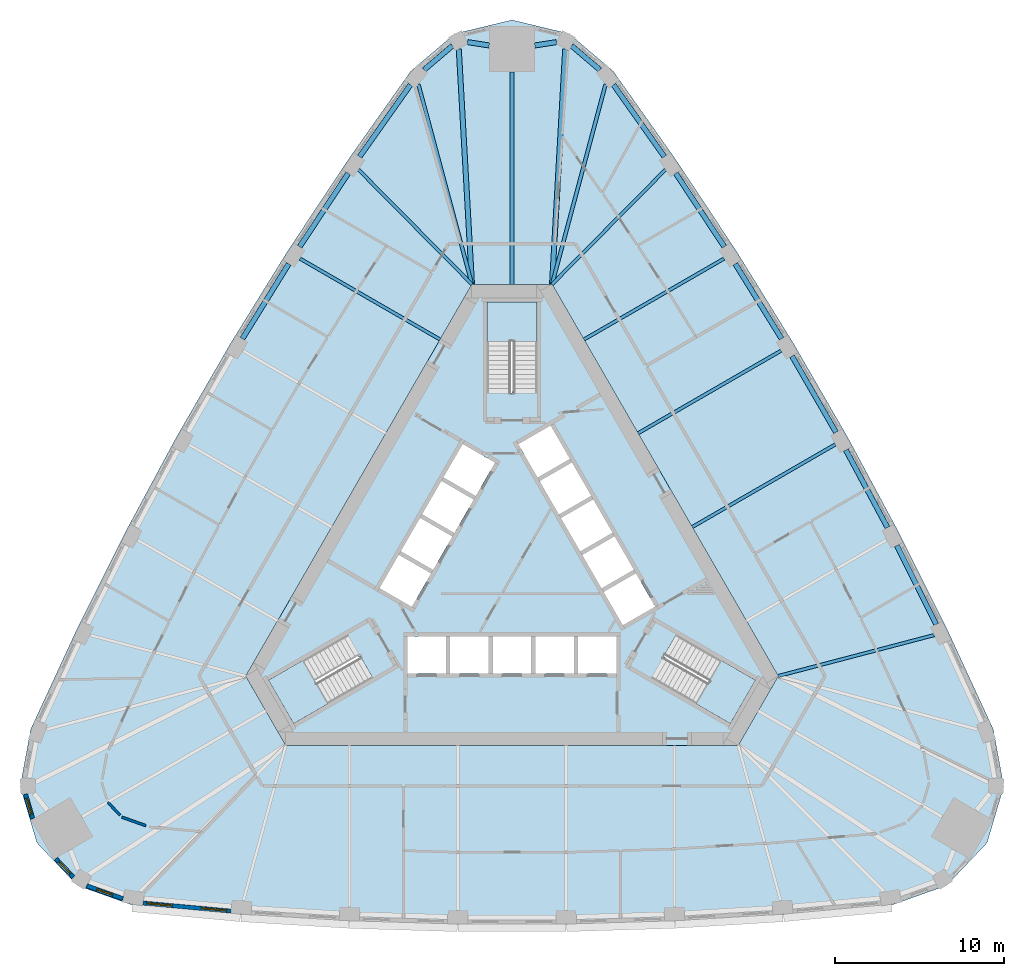
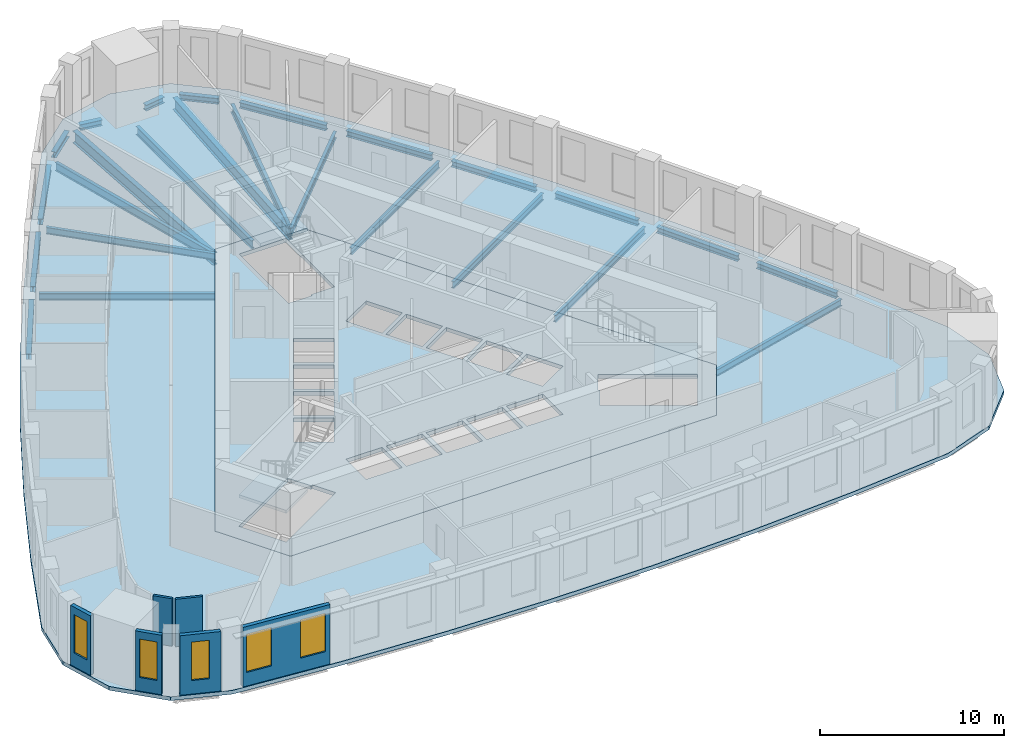
# One storey, part 2 of 11: 25 beams, 6 walls, 5 slabs, 5 windows, 5 openings, 3 elements without a shape of their own.
"""IFC4 building model written with IfcOpenShell, lengths in metres."""

from ifc_helpers import new_model, si_unit, direction, frame, frame_2d, origin, origin_2d, place, context, subcontext, project, spatial, polyline, rectangle, i_section, outline, extrude, material, layer, layer_set, material_profile, profile_set, type_object, element, fill, aggregate, save


model = new_model("IFC4")

# Units and contexts
model_context = context("Model", 3, precision=1e-05, world=origin(), true_north=direction((0.0, 1.0)))
body_context = subcontext(model_context, "Body", "Model", "MODEL_VIEW")
ifc_project = project(units=[si_unit("LENGTHUNIT", "METRE"), si_unit("AREAUNIT", "SQUARE_METRE"), si_unit("VOLUMEUNIT", "CUBIC_METRE"), si_unit("PLANEANGLEUNIT", "RADIAN"), si_unit("MASSUNIT", "GRAM", prefix="KILO")], contexts=[model_context])

# Site, building, storey
site_placement = place(None, origin())
site = spatial("IfcSite", under=ifc_project, at=site_placement, CompositionType="ELEMENT")
building_placement = place(site_placement, origin())
building = spatial("IfcBuilding", under=site, at=building_placement, Name="Mestral Congress Tower", CompositionType="ELEMENT")
storey_placement = place(building_placement, frame((0.0, 0.0, 166.800048828125)))
storey = spatial("IfcBuildingStorey", under=building, at=storey_placement, Name="L39", CompositionType="ELEMENT", Elevation=166.800048828125)

# Beams
ifc_material_1 = material(Name="Steel S355", Category="steel")
ifc_material_profile_1 = material_profile(ifc_material_1, i_section(OverallWidth=0.300048828125, OverallDepth=0.800048828125, WebThickness=0.017578125, FlangeThickness=0.032958984375, FilletRadius=0.030029296875, at=origin_2d()), Name="HEB 800")
ifc_profile_set_1 = profile_set([ifc_material_profile_1], Name="Steel S355")
beam_type_1 = type_object("IfcBeamType", Name="Floor beam HEB 800 S355", PredefinedType="BEAM", material=ifc_profile_set_1)
for number, where, z_axis, x_axis, name in (
    (1, (3.143798828125, 30.703857421875, -0.650146484375), (-0.055769084972, -0.998443693536, 0.0), (0.998443693536, -0.055769084972, 0.0), "BM-L39-RB3-N1"),
    (2, (-3.143798828125, 30.703857421875, -0.650146484375), (0.055769084972, -0.998443693536, 0.0), (0.998443693536, 0.055769084972, 0.0), "BM-L39-RB3-N3"),
):
    element("IfcBeam", number, at=place(storey_placement, frame(where, z_axis=z_axis, x_axis=x_axis)), inside=storey, type_object=beam_type_1, Name=name, PredefinedType="BEAM", context=body_context, shape_type="SweptSolid", body=[
        extrude(i_section(OverallWidth=0.300048828125, OverallDepth=0.800048828125, WebThickness=0.017578125, FlangeThickness=0.032958984375, FilletRadius=0.030029296875, at=origin_2d()), origin(), (0.0, 0.0, 1.0), 13.925537109375),
    ])
ifc_material_profile_2 = material_profile(ifc_material_1, i_section(OverallWidth=0.18994140625, OverallDepth=0.449951171875, WebThickness=0.009521484375, FlangeThickness=0.0146484375, FilletRadius=0.02099609375, at=origin_2d()), Name="IPE 450")
ifc_profile_set_2 = profile_set([ifc_material_profile_2], Name="Steel S355")
beam_type_2 = type_object("IfcBeamType", Name="Floor beam IPE 450 S355", PredefinedType="BEAM", material=ifc_profile_set_2)
beam_1_placement = place(storey_placement, frame((24.938232421875, -3.93505859375, -0.47509765625), z_axis=(-0.967265999603, -0.253764627187, 0.0), x_axis=(0.253764627187, -0.967265999603, 0.0)))
element("IfcBeam", 3, at=beam_1_placement, inside=storey, type_object=beam_type_2, Name="BM-L39-RB3-E01", PredefinedType="BEAM", context=body_context, shape_type="SweptSolid", body=[
    extrude(i_section(OverallWidth=0.18994140625, OverallDepth=0.449951171875, WebThickness=0.009521484375, FlangeThickness=0.0146484375, FilletRadius=0.02099609375, at=origin_2d()), origin(), (0.0, 0.0, 1.0), 9.516845703125),
])
beam_2_placement = place(storey_placement, frame((19.100830078125, 7.332763671875, -0.47509765625), z_axis=(-0.866036015824, -0.499981618958, 0.0), x_axis=(0.499981618958, -0.866036015824, 0.0)))
element("IfcBeam", 4, at=beam_2_placement, inside=storey, type_object=beam_type_2, Name="BM-L39-RB3-E03", PredefinedType="BEAM", context=body_context, shape_type="SweptSolid", body=[
    extrude(i_section(OverallWidth=0.18994140625, OverallDepth=0.449951171875, WebThickness=0.009521484375, FlangeThickness=0.0146484375, FilletRadius=0.02099609375, at=origin_2d()), origin(), (0.0, 0.0, 1.0), 9.758056640625),
])
beam_3_placement = place(storey_placement, frame((15.90087890625, 12.875244140625, -0.47509765625), z_axis=(-0.866025182435, -0.500000383388, 0.0), x_axis=(0.500000383388, -0.866025182435, 0.0)))
element("IfcBeam", 5, at=beam_3_placement, inside=storey, type_object=beam_type_2, Name="BM-L39-RB3-E04", PredefinedType="BEAM", context=body_context, shape_type="SweptSolid", body=[
    extrude(i_section(OverallWidth=0.18994140625, OverallDepth=0.449951171875, WebThickness=0.009521484375, FlangeThickness=0.0146484375, FilletRadius=0.02099609375, at=origin_2d()), origin(), (0.0, 0.0, 1.0), 9.75830078125),
])
beam_4_placement = place(storey_placement, frame((12.532958984375, 18.317138671875, -0.47509765625), z_axis=(-0.866022320763, -0.500005339912, 0.0), x_axis=(0.500005339912, -0.866022320763, 0.0)))
element("IfcBeam", 6, at=beam_4_placement, inside=storey, type_object=beam_type_2, Name="BM-L39-RB3-E05", PredefinedType="BEAM", context=body_context, shape_type="SweptSolid", body=[
    extrude(i_section(OverallWidth=0.18994140625, OverallDepth=0.449951171875, WebThickness=0.009521484375, FlangeThickness=0.0146484375, FilletRadius=0.02099609375, at=origin_2d()), origin(), (0.0, 0.0, 1.0), 9.5625),
])
for number, where, z_axis, x_axis, name in (
    (7, (9.06103515625, 23.564697265625, -0.47509765625), (-0.703377189025, -0.710816804781, 0.0), (0.710816804781, -0.703377189025, 0.0), "BM-L39-RB3-E06"),
    (8, (-9.06103515625, 23.564697265625, -0.47509765625), (0.703377189025, -0.710816804781, 0.0), (0.710816804781, 0.703377189025, 0.0), "BM-L39-RB3-W01"),
):
    element("IfcBeam", number, at=place(storey_placement, frame(where, z_axis=z_axis, x_axis=x_axis)), inside=storey, type_object=beam_type_2, Name=name, PredefinedType="BEAM", context=body_context, shape_type="SweptSolid", body=[
        extrude(i_section(OverallWidth=0.18994140625, OverallDepth=0.449951171875, WebThickness=0.009521484375, FlangeThickness=0.0146484375, FilletRadius=0.02099609375, at=origin_2d()), origin(), (0.0, 0.0, 1.0), 9.516845703125),
    ])
beam_5_placement = place(storey_placement, frame((-12.532958984375, 18.317138671875, -0.47509765625), z_axis=(0.866022320763, -0.500005339912, 0.0), x_axis=(0.500005339912, 0.866022320763, 0.0)))
element("IfcBeam", 9, at=beam_5_placement, inside=storey, type_object=beam_type_2, Name="BM-L39-RB3-W02", PredefinedType="BEAM", context=body_context, shape_type="SweptSolid", body=[
    extrude(i_section(OverallWidth=0.18994140625, OverallDepth=0.449951171875, WebThickness=0.009521484375, FlangeThickness=0.0146484375, FilletRadius=0.02099609375, at=origin_2d()), origin(), (0.0, 0.0, 1.0), 9.5625),
])
ifc_material_profile_3 = material_profile(ifc_material_1, i_section(OverallWidth=0.2099609375, OverallDepth=0.550048828125, WebThickness=0.010986328125, FlangeThickness=0.01708984375, FilletRadius=0.02392578125, at=origin_2d()), Name="IPE 550")
ifc_profile_set_3 = profile_set([ifc_material_profile_3], Name="Steel S355")
beam_type_3 = type_object("IfcBeamType", Name="Floor beam IPE 550 S355", PredefinedType="BEAM", material=ifc_profile_set_3)
beam_6_placement = place(storey_placement, frame((5.5283203125, 28.609375, -0.525146484375), z_axis=(-0.258577363905, -0.965990552167, 0.0), x_axis=(0.965990552167, -0.258577363905, 0.0)))
element("IfcBeam", 10, at=beam_6_placement, inside=storey, type_object=beam_type_3, Name="BM-L39-RB3-E07", PredefinedType="BEAM", context=body_context, shape_type="SweptSolid", body=[
    extrude(i_section(OverallWidth=0.2099609375, OverallDepth=0.550048828125, WebThickness=0.010986328125, FlangeThickness=0.01708984375, FilletRadius=0.02392578125, at=origin_2d()), origin(), (0.0, 0.0, 1.0), 12.22509765625),
])
beam_7_placement = place(storey_placement, frame((0.0, 29.354248046875, -0.525146484375), z_axis=(0.0, -1.0, 0.0), x_axis=(1.0, 0.0, 0.0)))
element("IfcBeam", 11, at=beam_7_placement, inside=storey, type_object=beam_type_3, Name="BM-L39-RB3-N", PredefinedType="BEAM", context=body_context, shape_type="SweptSolid", body=[
    extrude(i_section(OverallWidth=0.2099609375, OverallDepth=0.550048828125, WebThickness=0.010986328125, FlangeThickness=0.01708984375, FilletRadius=0.02392578125, at=origin_2d()), origin(), (0.0, 0.0, 1.0), 12.55419921875),
])
beam_8_placement = place(storey_placement, frame((-5.5283203125, 28.609375, -0.525146484375), z_axis=(0.258577363905, -0.965990552167, 0.0), x_axis=(0.965990552167, 0.258577363905, 0.0)))
element("IfcBeam", 12, at=beam_8_placement, inside=storey, type_object=beam_type_3, Name="BM-L39-RB3-W00", PredefinedType="BEAM", context=body_context, shape_type="SweptSolid", body=[
    extrude(i_section(OverallWidth=0.2099609375, OverallDepth=0.550048828125, WebThickness=0.010986328125, FlangeThickness=0.01708984375, FilletRadius=0.02392578125, at=origin_2d()), origin(), (0.0, 0.0, 1.0), 12.22509765625),
])
ifc_material_profile_4 = material_profile(ifc_material_1, i_section(OverallWidth=0.300048828125, OverallDepth=0.389892578125, WebThickness=0.010986328125, FlangeThickness=0.01904296875, FilletRadius=0.027099609375, at=origin_2d()), Name="HEA 400")
ifc_profile_set_4 = profile_set([ifc_material_profile_4], Name="Steel S355")
beam_type_4 = type_object("IfcBeamType", Name="Spandrel beam HEA 400 S355", PredefinedType="BEAM", material=ifc_profile_set_4)
beam_9_placement = place(storey_placement, frame((25.064453125, -3.294677734375, -0.445068359375), z_axis=(-0.446255467462, 0.894905613884, 0.0), x_axis=(-0.894905613884, -0.446255467462, 0.0)))
element("IfcBeam", 13, at=beam_9_placement, inside=storey, type_object=beam_type_4, Name="SP-L39-SB3-E01", PredefinedType="BEAM", context=body_context, shape_type="SweptSolid", body=[
    extrude(i_section(OverallWidth=0.300048828125, OverallDepth=0.389892578125, WebThickness=0.010986328125, FlangeThickness=0.01904296875, FilletRadius=0.027099609375, at=origin_2d()), origin(), (0.0, 0.0, 1.0), 5.199462890625),
])
for number, where, z_axis, x_axis, name in (
    (14, (22.1923828125, 2.424072265625, -0.445068359375), (-0.473332458078, 0.880883865291, 0.0), (-0.880883865291, -0.473332458078, 0.0), "SP-L39-SB3-E02"),
    (15, (19.147216796875, 8.052490234375, -0.445068359375), (-0.499992051641, 0.866029992723, 0.0), (-0.866029992723, -0.499992051641, 0.0), "SP-L39-SB3-E03"),
):
    element("IfcBeam", number, at=place(storey_placement, frame(where, z_axis=z_axis, x_axis=x_axis)), inside=storey, type_object=beam_type_4, Name=name, PredefinedType="BEAM", context=body_context, shape_type="SweptSolid", body=[
        extrude(i_section(OverallWidth=0.300048828125, OverallDepth=0.389892578125, WebThickness=0.010986328125, FlangeThickness=0.01904296875, FilletRadius=0.027099609375, at=origin_2d()), origin(), (0.0, 0.0, 1.0), 5.19970703125),
    ])
for number, where, z_axis, x_axis, name in (
    (16, (15.931640625, 13.585693359375, -0.445068359375), (-0.526220441006, 0.8503481919, 0.0), (-0.8503481919, -0.526220441006, 0.0), "SP-L39-SB3-E04"),
    (17, (12.548583984375, 19.017822265625, -0.445068359375), (-0.551901475275, 0.833909324561, 0.0), (-0.833909324561, -0.551901475275, 0.0), "SP-L39-SB3-E05"),
):
    element("IfcBeam", number, at=place(storey_placement, frame(where, z_axis=z_axis, x_axis=x_axis)), inside=storey, type_object=beam_type_4, Name=name, PredefinedType="BEAM", context=body_context, shape_type="SweptSolid", body=[
        extrude(i_section(OverallWidth=0.300048828125, OverallDepth=0.389892578125, WebThickness=0.010986328125, FlangeThickness=0.01904296875, FilletRadius=0.027099609375, at=origin_2d()), origin(), (0.0, 0.0, 1.0), 5.199462890625),
    ])
beam_10_placement = place(storey_placement, frame((9.00146484375, 24.34423828125, -0.445068359375), z_axis=(-0.577107284947, 0.816668342512, 0.0), x_axis=(-0.816668342512, -0.577107284947, 0.0)))
element("IfcBeam", 18, at=beam_10_placement, inside=storey, type_object=beam_type_4, Name="SP-L39-SB3-E06", PredefinedType="BEAM", context=body_context, shape_type="SweptSolid", body=[
    extrude(i_section(OverallWidth=0.300048828125, OverallDepth=0.389892578125, WebThickness=0.010986328125, FlangeThickness=0.01904296875, FilletRadius=0.027099609375, at=origin_2d()), origin(), (0.0, 0.0, 1.0), 5.197509765625),
])
beam_11_placement = place(storey_placement, frame((5.191162109375, 29.47509765625, -0.445068359375), z_axis=(-0.761471479234, 0.648198415852, 0.0), x_axis=(-0.648198415852, -0.761471479234, 0.0)))
element("IfcBeam", 19, at=beam_11_placement, inside=storey, type_object=beam_type_4, Name="SP-L39-SB3-E07", PredefinedType="BEAM", context=body_context, shape_type="SweptSolid", body=[
    extrude(i_section(OverallWidth=0.300048828125, OverallDepth=0.389892578125, WebThickness=0.010986328125, FlangeThickness=0.01904296875, FilletRadius=0.027099609375, at=origin_2d()), origin(), (0.0, 0.0, 1.0), 2.189697265625),
])
for number, where, z_axis, x_axis, name in (
    (20, (2.62353515625, 31.10986328125, -0.445068359375), (-0.988242111203, -0.152897121116, 0.0), (0.152897121116, -0.988242111203, 0.0), "SP-L39-SB3-N1"),
    (21, (-1.35009765625, 30.912841796875, -0.445068359375), (-0.988242111203, 0.152897121116, 0.0), (-0.152897121116, -0.988242111203, 0.0), "SP-L39-SB3-N"),
):
    element("IfcBeam", number, at=place(storey_placement, frame(where, z_axis=z_axis, x_axis=x_axis)), inside=storey, type_object=beam_type_4, Name=name, PredefinedType="BEAM", context=body_context, shape_type="SweptSolid", body=[
        extrude(i_section(OverallWidth=0.300048828125, OverallDepth=0.389892578125, WebThickness=0.010986328125, FlangeThickness=0.01904296875, FilletRadius=0.027099609375, at=origin_2d()), origin(), (0.0, 0.0, 1.0), 1.28857421875),
    ])
beam_12_placement = place(storey_placement, frame((-3.523681640625, 30.89453125, -0.445068359375), z_axis=(-0.761471479234, -0.648198415852, 0.0), x_axis=(0.648198415852, -0.761471479234, 0.0)))
element("IfcBeam", 22, at=beam_12_placement, inside=storey, type_object=beam_type_4, Name="SP-L39-SB3-N3", PredefinedType="BEAM", context=body_context, shape_type="SweptSolid", body=[
    extrude(i_section(OverallWidth=0.300048828125, OverallDepth=0.389892578125, WebThickness=0.010986328125, FlangeThickness=0.01904296875, FilletRadius=0.027099609375, at=origin_2d()), origin(), (0.0, 0.0, 1.0), 2.189697265625),
])
beam_13_placement = place(storey_placement, frame((-6.001953125, 28.5888671875, -0.445068359375), z_axis=(-0.577107284947, -0.816668342512, 0.0), x_axis=(0.816668342512, -0.577107284947, 0.0)))
element("IfcBeam", 23, at=beam_13_placement, inside=storey, type_object=beam_type_4, Name="SP-L39-SB3-W00", PredefinedType="BEAM", context=body_context, shape_type="SweptSolid", body=[
    extrude(i_section(OverallWidth=0.300048828125, OverallDepth=0.389892578125, WebThickness=0.010986328125, FlangeThickness=0.01904296875, FilletRadius=0.027099609375, at=origin_2d()), origin(), (0.0, 0.0, 1.0), 5.197509765625),
])
for number, where, z_axis, x_axis, name in (
    (24, (-9.678955078125, 23.353759765625, -0.445068359375), (-0.551901475275, -0.833909324561, 0.0), (0.833909324561, -0.551901475275, 0.0), "SP-L39-SB3-W01"),
    (25, (-13.195556640625, 18.007080078125, -0.445068359375), (-0.526220441006, -0.8503481919, 0.0), (0.8503481919, -0.526220441006, 0.0), "SP-L39-SB3-W02"),
):
    element("IfcBeam", number, at=place(storey_placement, frame(where, z_axis=z_axis, x_axis=x_axis)), inside=storey, type_object=beam_type_4, Name=name, PredefinedType="BEAM", context=body_context, shape_type="SweptSolid", body=[
        extrude(i_section(OverallWidth=0.300048828125, OverallDepth=0.389892578125, WebThickness=0.010986328125, FlangeThickness=0.01904296875, FilletRadius=0.027099609375, at=origin_2d()), origin(), (0.0, 0.0, 1.0), 5.199462890625),
    ])

# Slabs
ifc_material_2 = material(Name="Concrete C35/45", Category="concrete")
ifc_layer_1 = layer(ifc_material_2, 0.25)
ifc_layer_set_1 = layer_set([ifc_layer_1], Name="Concrete C35/45")
slab_type_1 = type_object("IfcSlabType", Name="Composite floor slab 250", PredefinedType="FLOOR", material=ifc_layer_set_1)
placement_1 = place(storey_placement, frame((0.0, 0.0, -0.25)))
element("IfcSlab", 26, at=placement_1, inside=storey, type_object=slab_type_1, Name="SL-L39", PredefinedType="FLOOR", context=body_context, shape_type="SweptSolid", body=[
    extrude(outline(polyline([(-22.455078125, -19.880126953125), (-25.68212890625, -18.731689453125), (-28.073974609375, -16.20849609375), (-29.06298828125, -12.87548828125), (-28.444091796875, -9.506591796875), (-25.73779296875, -3.63720703125), (-22.8759765625, 2.1025390625), (-19.84033203125, 7.751953125), (-16.633544921875, 13.30615234375), (-13.2587890625, 18.760009765625), (-9.71923828125, 24.1083984375), (-5.9892578125, 29.38671875), (-3.381103515625, 31.607177734375), (0.0, 32.4169921875), (3.381103515625, 31.607177734375), (5.9892578125, 29.38671875), (9.71923828125, 24.1083984375), (13.2587890625, 18.760009765625), (16.633544921875, 13.30615234375), (19.84033203125, 7.751953125), (22.8759765625, 2.1025390625), (25.73779296875, -3.63720703125), (28.444091796875, -9.506591796875), (29.06298828125, -12.87548828125), (28.073974609375, -16.20849609375), (25.68212890625, -18.731689453125), (22.455078125, -19.880126953125), (16.018798828125, -20.47119140625), (9.6171875, -20.862548828125), (3.206787109375, -21.05810546875), (-3.206787109375, -21.05810546875), (-9.6171875, -20.862548828125), (-16.018798828125, -20.47119140625), (-22.455078125, -19.880126953125)]), holes=[polyline([(-2.3671875, 16.800048828125), (-15.73291015625, -6.35009765625), (-13.36572265625, -10.449951171875), (13.36572265625, -10.449951171875), (15.73291015625, -6.35009765625), (2.3671875, 16.800048828125), (-2.3671875, 16.800048828125)])]), origin(), (0.0, 0.0, 1.0), 0.25),
])
ifc_material_3 = material(Name="Concrete C60/75", Category="concrete")
ifc_layer_2 = layer(ifc_material_3, 0.25)
ifc_layer_set_2 = layer_set([ifc_layer_2], Name="Concrete C60/75")
slab_type_2 = type_object("IfcSlabType", Name="Core floor slab RC 250", PredefinedType="FLOOR", material=ifc_layer_set_2)
element("IfcSlab", 27, at=placement_1, inside=storey, type_object=slab_type_2, Name="L39 core floor", PredefinedType="FLOOR", context=body_context, shape_type="SweptSolid", body=[
    extrude(outline(polyline([(13.36572265625, -10.449951171875), (-13.36572265625, -10.449951171875), (-15.73291015625, -6.35009765625), (-2.3671875, 16.800048828125), (2.3671875, 16.800048828125), (15.73291015625, -6.35009765625), (13.36572265625, -10.449951171875)]), holes=[polyline([(-9.8046875, -3.95751953125), (-14.37744140625, -6.59765625), (-12.90234375, -9.15234375), (-8.234619140625, -6.45751953125), (-8.971923828125, -5.179931640625), (-9.0673828125, -5.235107421875), (-9.8046875, -3.95751953125)]), polyline([(-3.905029296875, -4.0), (-6.175048828125, -4.0), (-6.175048828125, -6.199951171875), (-3.905029296875, -6.199951171875), (-3.905029296875, -4.0)]), polyline([(-1.385009765625, -4.0), (-3.655029296875, -4.0), (-3.655029296875, -6.199951171875), (-1.385009765625, -6.199951171875), (-1.385009765625, -4.0)]), polyline([(1.135009765625, -4.0), (-1.135009765625, -4.0), (-1.135009765625, -6.199951171875), (1.135009765625, -6.199951171875), (1.135009765625, -4.0)]), polyline([(-5.921630859375, -2.256591796875), (-4.78662109375, -0.29052734375), (-6.69189453125, 0.809326171875), (-7.826904296875, -1.156494140625), (-5.921630859375, -2.256591796875)]), polyline([(-4.66162109375, -0.07421875), (-3.526611328125, 1.8916015625), (-5.431884765625, 2.99169921875), (-6.56689453125, 1.02587890625), (-4.66162109375, -0.07421875)]), polyline([(-3.401611328125, 2.1083984375), (-2.2666015625, 4.07421875), (-4.171875, 5.174072265625), (-5.306884765625, 3.208251953125), (-3.401611328125, 2.1083984375)]), polyline([(-2.1416015625, 4.29052734375), (-1.006591796875, 6.256591796875), (-2.911865234375, 7.3564453125), (-4.046875, 5.390625), (-2.1416015625, 4.29052734375)]), polyline([(1.47509765625, 10.469970703125), (1.47509765625, 15.75), (-1.47509765625, 15.75), (-1.47509765625, 10.360107421875), (0.0, 10.360107421875), (0.0, 10.469970703125), (1.47509765625, 10.469970703125)]), polyline([(8.329833984375, -6.512451171875), (12.90234375, -9.15234375), (14.37744140625, -6.59765625), (9.70947265625, -3.902587890625), (8.971923828125, -5.179931640625), (9.0673828125, -5.235107421875), (8.329833984375, -6.512451171875)]), polyline([(3.655029296875, -4.0), (1.385009765625, -4.0), (1.385009765625, -6.199951171875), (3.655029296875, -6.199951171875), (3.655029296875, -4.0)]), polyline([(6.175048828125, -4.0), (3.905029296875, -4.0), (3.905029296875, -6.199951171875), (6.175048828125, -6.199951171875), (6.175048828125, -4.0)]), polyline([(5.41650390625, -1.3818359375), (6.551513671875, -3.34765625), (8.456787109375, -2.247802734375), (7.322021484375, -0.28173828125), (5.41650390625, -1.3818359375)]), polyline([(4.156494140625, 0.800537109375), (5.29150390625, -1.165283203125), (7.197021484375, -0.065185546875), (6.06201171875, 1.900634765625), (4.156494140625, 0.800537109375)]), polyline([(2.896484375, 2.98291015625), (4.031494140625, 1.01708984375), (5.93701171875, 2.1171875), (4.802001953125, 4.0830078125), (2.896484375, 2.98291015625)]), polyline([(3.5419921875, 6.265380859375), (1.63671875, 5.165283203125), (2.771484375, 3.199462890625), (4.677001953125, 4.29931640625), (3.5419921875, 6.265380859375)]), polyline([(2.281982421875, 8.44775390625), (0.376708984375, 7.34765625), (1.51171875, 5.3818359375), (3.4169921875, 6.481689453125), (2.281982421875, 8.44775390625)])]), origin(), (0.0, 0.0, 1.0), 0.25),
])

# Stair, slab
stair_type = type_object("IfcStairType", Name="Exit stair 1400", PredefinedType="HALF_TURN_STAIR", material=ifc_material_3)
placement_2 = place(storey_placement, origin())
stair_1 = element("IfcStair", 28, at=placement_2, inside=storey, type_object=stair_type, Name="L39 ST1", PredefinedType="HALF_TURN_STAIR")
ifc_layer_3 = layer(ifc_material_3, 0.199951171875)
ifc_layer_set_3 = layer_set([ifc_layer_3], Name="Concrete C60/75")
slab_type_3 = type_object("IfcSlabType", Name="Exit stair landing 200", PredefinedType="LANDING", material=ifc_layer_set_3)
placement_3 = place(storey_placement, frame((0.0, 0.0, 1.89990234375)))
slab_3 = element("IfcSlab", 29, at=placement_3, type_object=slab_type_3, Name="ST1 landing 1", PredefinedType="LANDING", context=body_context, shape_type="SweptSolid", body=[
    extrude(outline(polyline([(10.879638671875, -7.99609375), (12.364501953125, -5.424072265625), (14.39111328125, -6.593994140625), (12.906005859375, -9.166015625), (10.879638671875, -7.99609375)])), origin(), (0.0, 0.0, 1.0), 0.199951171875),
])
aggregate(stair_1, [slab_3])

stair_2 = element("IfcStair", 30, at=placement_2, inside=storey, type_object=stair_type, Name="L39 ST2", PredefinedType="HALF_TURN_STAIR")
slab_4 = element("IfcSlab", 31, at=placement_3, type_object=slab_type_3, Name="ST2 landing 1", PredefinedType="LANDING", context=body_context, shape_type="SweptSolid", body=[
    extrude(outline(polyline([(1.485107421875, 13.419921875), (-1.485107421875, 13.419921875), (-1.485107421875, 15.760009765625), (1.485107421875, 15.760009765625), (1.485107421875, 13.419921875)])), origin(), (0.0, 0.0, 1.0), 0.199951171875),
])
aggregate(stair_2, [slab_4])

stair_3 = element("IfcStair", 32, at=placement_2, inside=storey, type_object=stair_type, Name="L39 ST3", PredefinedType="HALF_TURN_STAIR")
slab_5 = element("IfcSlab", 33, at=placement_3, type_object=slab_type_3, Name="ST3 landing 1", PredefinedType="LANDING", context=body_context, shape_type="SweptSolid", body=[
    extrude(outline(polyline([(-12.364501953125, -5.424072265625), (-10.879638671875, -7.99609375), (-12.906005859375, -9.166015625), (-14.39111328125, -6.593994140625), (-12.364501953125, -5.424072265625)])), origin(), (0.0, 0.0, 1.0), 0.199951171875),
])
aggregate(stair_3, [slab_5])

# Wall, openings, windows
ifc_material_4 = material(Name="Precast concrete C40/50 with limestone facing", Category="masonry")
ifc_layer_4 = layer(ifc_material_4, 0.239990234375)
ifc_layer_set_4 = layer_set([ifc_layer_4], Name="Precast concrete C40/50 with limestone facing")
wall_type_1 = type_object("IfcWallType", Name="Facade stone wall 240", PredefinedType="SOLIDWALL", material=ifc_layer_set_4)
wall_1_placement = place(storey_placement, frame((-21.797119140625, -19.769775390625, 0.0), z_axis=(0.0, 0.0, 1.0), x_axis=(0.995808712151, -0.091460422067, 0.0)))
wall_1 = element("IfcWall", 34, at=wall_1_placement, inside=storey, type_object=wall_type_1, Name="Facade wall F0-00", PredefinedType="SOLIDWALL", context=body_context, shape_type="SweptSolid", body=[
    extrude(rectangle(XDim=5.213134765625, YDim=0.239990234375, at=frame_2d((2.6064453125, 0.0))), origin(), (0.0, 0.0, 1.0), 3.949951171875),
])
opening_1_placement = place(wall_1_placement, frame((0.220947265625, 0.0, 0.89990234375)))
opening_1 = element("IfcOpeningElement", 35, at=opening_1_placement, cuts=wall_1, Name="Opening W4", PredefinedType="OPENING", context=body_context, shape_type="SweptSolid", body=[
    extrude(rectangle(XDim=1.5, YDim=2.550048828125, at=frame_2d((0.75, 1.27490234375))), frame((0.0, 0.1298828125, 0.0), z_axis=(0.0, -1.0, 0.0), x_axis=(1.0, 0.0, 0.0)), (0.0, 0.0, 1.0), 0.260009765625),
])
opening_2_placement = place(wall_1_placement, frame((3.452392578125, 0.0, 0.89990234375)))
opening_2 = element("IfcOpeningElement", 36, at=opening_2_placement, cuts=wall_1, Name="Opening W4", PredefinedType="OPENING", context=body_context, shape_type="SweptSolid", body=[
    extrude(rectangle(XDim=1.5, YDim=2.550048828125, at=frame_2d((0.75, 1.27490234375))), frame((0.0, 0.1298828125, 0.0), z_axis=(0.0, -1.0, 0.0), x_axis=(1.0, 0.0, 0.0)), (0.0, 0.0, 1.0), 0.260009765625),
])
ifc_material_5 = material(Name="Clear low-emissivity double glazing", Category="glass")
window_type_1 = type_object("IfcWindowType", Name="Facade punched window 1500 x 2550 sill 900", PartitioningType="SINGLE_PANEL", PredefinedType="WINDOW", material=ifc_material_5)
window_1_placement = place(opening_1_placement, origin())
window_1 = element("IfcWindow", 37, at=window_1_placement, inside=storey, type_object=window_type_1, Name="Window F0-00a", OverallHeight=2.550048828125, OverallWidth=1.5, PartitioningType="SINGLE_PANEL", PredefinedType="WINDOW", context=body_context, shape_type="SweptSolid", body=[
    extrude(rectangle(XDim=1.5, YDim=2.550048828125, at=frame_2d((0.75, 1.27490234375))), frame((0.0, 0.0400390625, 0.0), z_axis=(0.0, -1.0, 0.0), x_axis=(1.0, 0.0, 0.0)), (0.0, 0.0, 1.0), 0.06005859375),
])
fill(opening_1, window_1)
window_2_placement = place(opening_2_placement, origin())
window_2 = element("IfcWindow", 38, at=window_2_placement, inside=storey, type_object=window_type_1, Name="Window F0-00b", OverallHeight=2.550048828125, OverallWidth=1.5, PartitioningType="SINGLE_PANEL", PredefinedType="WINDOW", context=body_context, shape_type="SweptSolid", body=[
    extrude(rectangle(XDim=1.5, YDim=2.550048828125, at=frame_2d((0.75, 1.27490234375))), frame((0.0, 0.0400390625, 0.0), z_axis=(0.0, -1.0, 0.0), x_axis=(1.0, 0.0, 0.0)), (0.0, 0.0, 1.0), 0.06005859375),
])
fill(opening_2, window_2)

# Wall, opening, window
wall_2_placement = place(storey_placement, frame((-28.747802734375, -13.340087890625, 0.0), z_axis=(0.0, 0.0, 1.0), x_axis=(0.284413721403, -0.958701640281, 0.0)))
wall_2 = element("IfcWall", 39, at=wall_2_placement, inside=storey, type_object=wall_type_1, Name="Facade wall K2-1", PredefinedType="SOLIDWALL", context=body_context, shape_type="SweptSolid", body=[
    extrude(rectangle(XDim=1.481689453125, YDim=0.239990234375, at=frame_2d((0.74072265625, 0.0))), origin(), (0.0, 0.0, 1.0), 3.949951171875),
])
opening_3_placement = place(wall_2_placement, frame((0.24072265625, 0.0, 0.89990234375)))
opening_3 = element("IfcOpeningElement", 40, at=opening_3_placement, cuts=wall_2, Name="Opening W5", PredefinedType="OPENING", context=body_context, shape_type="SweptSolid", body=[
    extrude(rectangle(XDim=1.0, YDim=2.550048828125, at=frame_2d((0.5, 1.27490234375))), frame((0.0, 0.1298828125, 0.0), z_axis=(0.0, -1.0, 0.0), x_axis=(1.0, 0.0, 0.0)), (0.0, 0.0, 1.0), 0.260009765625),
])
window_type_2 = type_object("IfcWindowType", Name="Facade punched window 1000 x 2550 sill 900", PartitioningType="SINGLE_PANEL", PredefinedType="WINDOW", material=ifc_material_5)
window_3_placement = place(opening_3_placement, origin())
window_3 = element("IfcWindow", 41, at=window_3_placement, inside=storey, type_object=window_type_2, Name="Window K2-1", OverallHeight=2.550048828125, OverallWidth=1.0, PartitioningType="SINGLE_PANEL", PredefinedType="WINDOW", context=body_context, shape_type="SweptSolid", body=[
    extrude(rectangle(XDim=1.0, YDim=2.550048828125, at=frame_2d((0.5, 1.27490234375))), frame((0.0, 0.0400390625, 0.0), z_axis=(0.0, -1.0, 0.0), x_axis=(1.0, 0.0, 0.0)), (0.0, 0.0, 1.0), 0.06005859375),
])
fill(opening_3, window_3)

wall_3_placement = place(storey_placement, frame((-26.946044921875, -17.151123046875, 0.0), z_axis=(0.0, 0.0, 1.0), x_axis=(0.687986858937, -0.725723144133, 0.0)))
wall_3 = element("IfcWall", 42, at=wall_3_placement, inside=storey, type_object=wall_type_1, Name="Facade wall K2-2", PredefinedType="SOLIDWALL", context=body_context, shape_type="SweptSolid", body=[
    extrude(rectangle(XDim=1.4814453125, YDim=0.239990234375, at=frame_2d((0.74072265625, 0.0))), origin(), (0.0, 0.0, 1.0), 3.949951171875),
])
opening_4_placement = place(wall_3_placement, frame((0.24072265625, 0.0, 0.89990234375)))
opening_4 = element("IfcOpeningElement", 43, at=opening_4_placement, cuts=wall_3, Name="Opening W5", PredefinedType="OPENING", context=body_context, shape_type="SweptSolid", body=[
    extrude(rectangle(XDim=1.0, YDim=2.550048828125, at=frame_2d((0.5, 1.27490234375))), frame((0.0, 0.1298828125, 0.0), z_axis=(0.0, -1.0, 0.0), x_axis=(1.0, 0.0, 0.0)), (0.0, 0.0, 1.0), 0.260009765625),
])
window_4_placement = place(opening_4_placement, origin())
window_4 = element("IfcWindow", 44, at=window_4_placement, inside=storey, type_object=window_type_2, Name="Window K2-2", OverallHeight=2.550048828125, OverallWidth=1.0, PartitioningType="SINGLE_PANEL", PredefinedType="WINDOW", context=body_context, shape_type="SweptSolid", body=[
    extrude(rectangle(XDim=1.0, YDim=2.550048828125, at=frame_2d((0.5, 1.27490234375))), frame((0.0, 0.0400390625, 0.0), z_axis=(0.0, -1.0, 0.0), x_axis=(1.0, 0.0, 0.0)), (0.0, 0.0, 1.0), 0.06005859375),
])
fill(opening_4, window_4)

wall_4_placement = place(storey_placement, frame((-25.12109375, -18.750732421875, 0.0), z_axis=(0.0, 0.0, 1.0), x_axis=(0.942099727267, -0.335332825539, 0.0)))
wall_4 = element("IfcWall", 45, at=wall_4_placement, inside=storey, type_object=wall_type_1, Name="Facade wall K2-3", PredefinedType="SOLIDWALL", context=body_context, shape_type="SweptSolid", body=[
    extrude(rectangle(XDim=2.25048828125, YDim=0.239990234375, at=frame_2d((1.125244140625, 0.0))), origin(), (0.0, 0.0, 1.0), 3.949951171875),
])
opening_5_placement = place(wall_4_placement, frame((0.625244140625, 0.0, 0.89990234375)))
opening_5 = element("IfcOpeningElement", 46, at=opening_5_placement, cuts=wall_4, Name="Opening W5", PredefinedType="OPENING", context=body_context, shape_type="SweptSolid", body=[
    extrude(rectangle(XDim=1.0, YDim=2.550048828125, at=frame_2d((0.5, 1.27490234375))), frame((0.0, 0.1298828125, 0.0), z_axis=(0.0, -1.0, 0.0), x_axis=(1.0, 0.0, 0.0)), (0.0, 0.0, 1.0), 0.260009765625),
])
window_5_placement = place(opening_5_placement, origin())
window_5 = element("IfcWindow", 47, at=window_5_placement, inside=storey, type_object=window_type_2, Name="Window K2-3", OverallHeight=2.550048828125, OverallWidth=1.0, PartitioningType="SINGLE_PANEL", PredefinedType="WINDOW", context=body_context, shape_type="SweptSolid", body=[
    extrude(rectangle(XDim=1.0, YDim=2.550048828125, at=frame_2d((0.5, 1.27490234375))), frame((0.0, 0.0400390625, 0.0), z_axis=(0.0, -1.0, 0.0), x_axis=(1.0, 0.0, 0.0)), (0.0, 0.0, 1.0), 0.06005859375),
])
fill(opening_5, window_5)

# Walls
ifc_material_6 = material(Name="Plasterboard partition on steel studs", Category="steel")
ifc_layer_5 = layer(ifc_material_6, 0.14990234375)
ifc_layer_set_5 = layer_set([ifc_layer_5], Name="Plasterboard partition on steel studs")
wall_type_2 = type_object("IfcWallType", Name="Office partition 150", PredefinedType="PARTITIONING", material=ifc_layer_set_5)
wall_5_placement = place(storey_placement, frame((-21.640380859375, -15.19189453125, 0.0), z_axis=(0.0, 0.0, 1.0), x_axis=(-0.942099140138, 0.335334475041, 0.0)))
element("IfcWall", 48, at=wall_5_placement, inside=storey, type_object=wall_type_2, Name="Partition", PredefinedType="PARTITIONING", context=body_context, shape_type="SweptSolid", body=[
    extrude(rectangle(XDim=1.49755859375, YDim=0.14990234375, at=frame_2d((0.748779296875, 0.0))), origin(), (0.0, 0.0, 1.0), 3.14990234375),
])
wall_6_placement = place(storey_placement, frame((-23.1650390625, -14.569580078125, 0.0), z_axis=(0.0, 0.0, 1.0), x_axis=(-0.688049940621, 0.725663337375, 0.0)))
element("IfcWall", 49, at=wall_6_placement, inside=storey, type_object=wall_type_2, Name="Partition", PredefinedType="PARTITIONING", context=body_context, shape_type="SweptSolid", body=[
    extrude(rectangle(XDim=1.064453125, YDim=0.14990234375, at=frame_2d((0.5322265625, 0.0))), origin(), (0.0, 0.0, 1.0), 3.14990234375),
])

save(model, "model.ifc")
